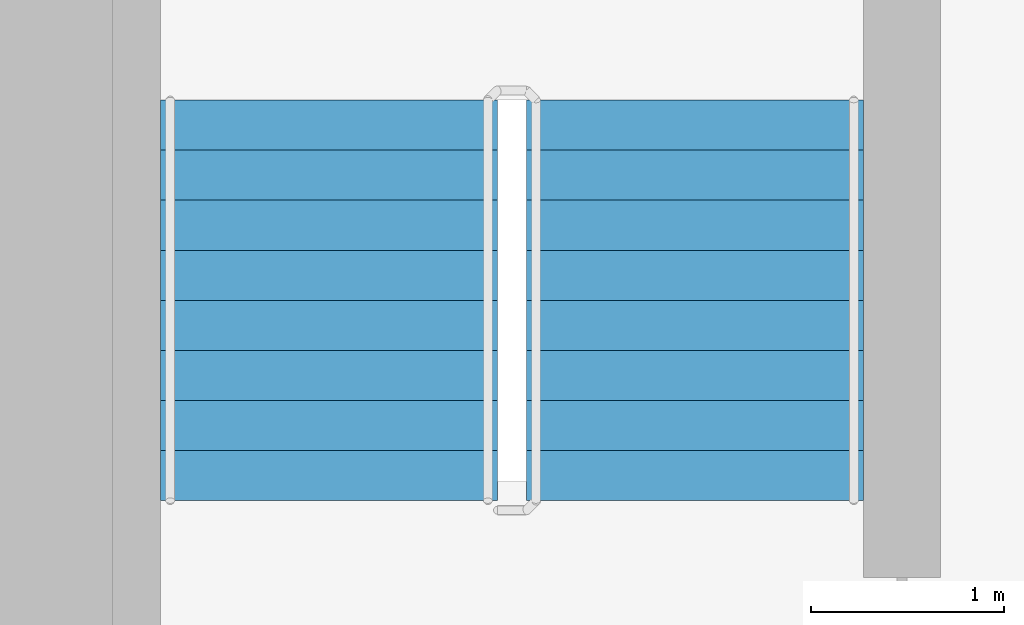
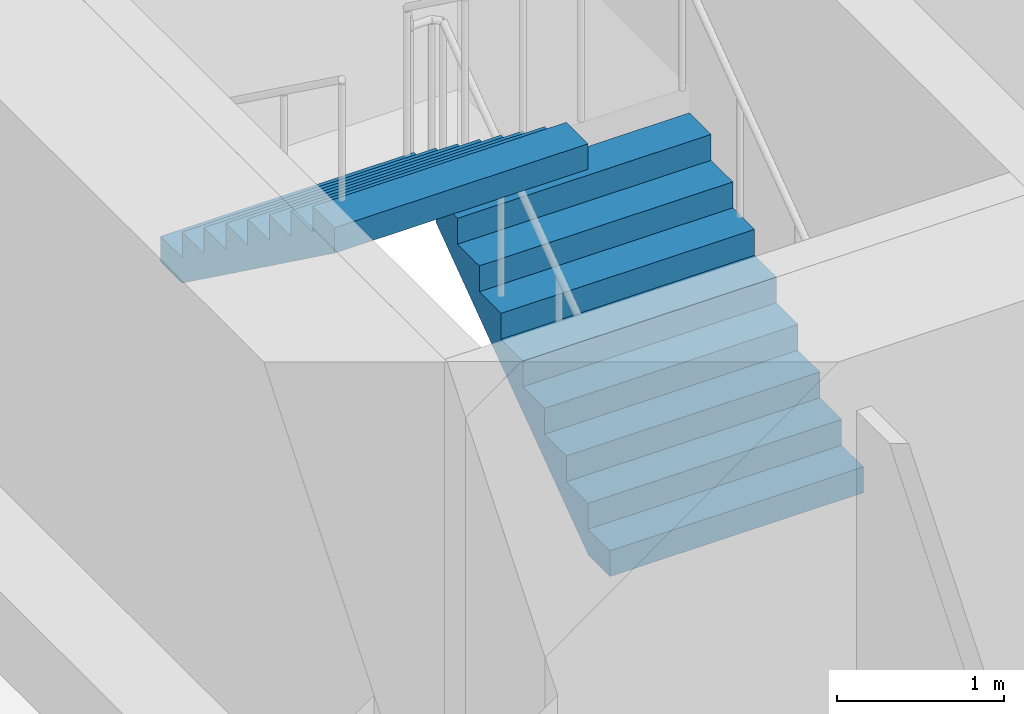
# One storey, part 17 of 21: 2 stair flights, 1 element without a shape of its own.
"""IFC4 building model written with IfcOpenShell, lengths in metres."""

from ifc_helpers import new_model, si_unit, direction, frame, origin, place, context, subcontext, project, spatial, faceted_brep, material, type_object, element, aggregate, save


model = new_model("IFC4")

# Units and contexts
model_context = context("Model", 3, precision=1e-05, world=origin(), true_north=direction((0.0, 1.0)))
body_context = subcontext(model_context, "Body", "Model", "MODEL_VIEW")
ifc_project = project(units=[si_unit("LENGTHUNIT", "METRE"), si_unit("AREAUNIT", "SQUARE_METRE"), si_unit("VOLUMEUNIT", "CUBIC_METRE"), si_unit("PLANEANGLEUNIT", "RADIAN"), si_unit("MASSUNIT", "GRAM", prefix="KILO")], contexts=[model_context])

# Site, building, storey
site_placement = place(None, origin())
site = spatial("IfcSite", under=ifc_project, at=site_placement, CompositionType="ELEMENT")
building_placement = place(site_placement, origin())
building = spatial("IfcBuilding", under=site, at=building_placement, Name="Ipe Terrace Towers", CompositionType="ELEMENT")
storey_placement = place(building_placement, frame((0.0, 0.0, 103.800048828125)))
storey = spatial("IfcBuildingStorey", under=building, at=storey_placement, Name="L28", CompositionType="ELEMENT", Elevation=103.800048828125)

# Stair, stair flights
ifc_material_1 = material(Name="Concrete C30/37", Category="concrete")
stair_type = type_object("IfcStairType", Name="Protected exit stair", PredefinedType="HALF_TURN_STAIR", material=ifc_material_1)
stair_placement = place(storey_placement, origin())
stair = element("IfcStair", 1, at=stair_placement, inside=storey, type_object=stair_type, Name="L28 Exit stair T2-C1", PredefinedType="HALF_TURN_STAIR")
ifc_material_2 = material(Name="Concrete C30/37", Category="concrete")
stair_flight_type = type_object("IfcStairFlightType", Name="Exit stair flight 1750", PredefinedType="STRAIGHT", material=ifc_material_2)
stair_flight_1_placement = place(storey_placement, frame((33.22509765625, 9.699951171875, 0.0), z_axis=(0.0, 0.0, 1.0), x_axis=(0.0, 1.0, 0.0)))
stair_flight_1 = element("IfcStairFlight", 2, at=stair_flight_1_placement, type_object=stair_flight_type, Name="T2-ST1 flight 1", NumberOfRisers=9, NumberOfTreads=8, PredefinedType="STRAIGHT", RiserHeight=0.188888889, TreadLength=0.26, context=body_context, shape_type="Brep", body=[
    faceted_brep([(0.255126953125, -0.875, 0.0), (2.080078125, -0.875, 1.325927734375), (2.080078125, -0.875, 1.51123046875), (1.820068359375, -0.875, 1.51123046875), (1.820068359375, -0.875, 1.322265625), (1.56005859375, -0.875, 1.322265625), (1.56005859375, -0.875, 1.13330078125), (1.300048828125, -0.875, 1.13330078125), (1.300048828125, -0.875, 0.9443359375), (1.0400390625, -0.875, 0.9443359375), (1.0400390625, -0.875, 0.755615234375), (0.780029296875, -0.875, 0.755615234375), (0.780029296875, -0.875, 0.566650390625), (0.52001953125, -0.875, 0.566650390625), (0.52001953125, -0.875, 0.377685546875), (0.260009765625, -0.875, 0.377685546875), (0.260009765625, -0.875, 0.18896484375), (0.0, -0.875, 0.18896484375), (0.0, -0.875, 0.0), (0.0, 0.875, 0.0), (0.0, 0.875, 0.18896484375), (0.260009765625, 0.875, 0.18896484375), (0.260009765625, 0.875, 0.377685546875), (0.52001953125, 0.875, 0.377685546875), (0.52001953125, 0.875, 0.566650390625), (0.780029296875, 0.875, 0.566650390625), (0.780029296875, 0.875, 0.755615234375), (1.0400390625, 0.875, 0.755615234375), (1.0400390625, 0.875, 0.9443359375), (1.300048828125, 0.875, 0.9443359375), (1.300048828125, 0.875, 1.13330078125), (1.56005859375, 0.875, 1.13330078125), (1.56005859375, 0.875, 1.322265625), (1.820068359375, 0.875, 1.322265625), (1.820068359375, 0.875, 1.51123046875), (2.080078125, 0.875, 1.51123046875), (2.080078125, 0.875, 1.325927734375), (0.255126953125, 0.875, 0.0), (0.0, -0.300048828125, 0.18896484375), (0.0, -0.1201171875, 0.18896484375), (0.0, -0.06005859375, 0.18896484375), (0.0, -0.030029296875, 0.18896484375), (0.0, -0.010009765625, 0.18896484375), (0.0, 0.0, 0.18896484375), (0.0, 0.010009765625, 0.18896484375), (0.0, 0.030029296875, 0.18896484375), (0.0, 0.06005859375, 0.18896484375), (0.0, 0.1201171875, 0.18896484375), (0.0, 0.300048828125, 0.18896484375), (0.0, 0.300048828125, 0.0), (0.0, 0.1201171875, 0.0), (0.0, 0.06005859375, 0.0), (0.0, 0.030029296875, 0.0), (0.0, 0.010009765625, 0.0), (0.0, 0.0, 0.0), (0.0, -0.010009765625, 0.0), (0.0, -0.030029296875, 0.0), (0.0, -0.06005859375, 0.0), (0.0, -0.1201171875, 0.0), (0.0, -0.300048828125, 0.0), (0.260009765625, -0.300048828125, 0.18896484375), (0.260009765625, -0.1201171875, 0.18896484375), (0.260009765625, -0.06005859375, 0.18896484375), (0.260009765625, -0.030029296875, 0.18896484375), (0.260009765625, -0.010009765625, 0.18896484375), (0.260009765625, 0.0, 0.18896484375), (0.260009765625, 0.010009765625, 0.18896484375), (0.260009765625, 0.030029296875, 0.18896484375), (0.260009765625, 0.06005859375, 0.18896484375), (0.260009765625, 0.1201171875, 0.18896484375), (0.260009765625, 0.300048828125, 0.18896484375), (0.260009765625, -0.300048828125, 0.377685546875), (0.260009765625, -0.1201171875, 0.377685546875), (0.260009765625, -0.06005859375, 0.377685546875), (0.260009765625, -0.030029296875, 0.377685546875), (0.260009765625, -0.010009765625, 0.377685546875), (0.260009765625, 0.0, 0.377685546875), (0.260009765625, 0.010009765625, 0.377685546875), (0.260009765625, 0.030029296875, 0.377685546875), (0.260009765625, 0.06005859375, 0.377685546875), (0.260009765625, 0.1201171875, 0.377685546875), (0.260009765625, 0.300048828125, 0.377685546875), (0.52001953125, -0.300048828125, 0.377685546875), (0.52001953125, -0.1201171875, 0.377685546875), (0.52001953125, -0.06005859375, 0.377685546875), (0.52001953125, -0.030029296875, 0.377685546875), (0.52001953125, -0.010009765625, 0.377685546875), (0.52001953125, 0.0, 0.377685546875), (0.52001953125, 0.010009765625, 0.377685546875), (0.52001953125, 0.030029296875, 0.377685546875), (0.52001953125, 0.06005859375, 0.377685546875), (0.52001953125, 0.1201171875, 0.377685546875), (0.52001953125, 0.300048828125, 0.377685546875), (0.52001953125, -0.300048828125, 0.566650390625), (0.52001953125, -0.1201171875, 0.566650390625), (0.52001953125, -0.06005859375, 0.566650390625), (0.52001953125, -0.030029296875, 0.566650390625), (0.52001953125, -0.010009765625, 0.566650390625), (0.52001953125, 0.0, 0.566650390625), (0.52001953125, 0.010009765625, 0.566650390625), (0.52001953125, 0.030029296875, 0.566650390625), (0.52001953125, 0.06005859375, 0.566650390625), (0.52001953125, 0.1201171875, 0.566650390625), (0.52001953125, 0.300048828125, 0.566650390625), (0.780029296875, -0.300048828125, 0.566650390625), (0.780029296875, -0.1201171875, 0.566650390625), (0.780029296875, -0.06005859375, 0.566650390625), (0.780029296875, -0.030029296875, 0.566650390625), (0.780029296875, -0.010009765625, 0.566650390625), (0.780029296875, 0.0, 0.566650390625), (0.780029296875, 0.010009765625, 0.566650390625), (0.780029296875, 0.030029296875, 0.566650390625), (0.780029296875, 0.06005859375, 0.566650390625), (0.780029296875, 0.1201171875, 0.566650390625), (0.780029296875, 0.300048828125, 0.566650390625), (0.780029296875, -0.300048828125, 0.755615234375), (0.780029296875, -0.1201171875, 0.755615234375), (0.780029296875, -0.06005859375, 0.755615234375), (0.780029296875, -0.030029296875, 0.755615234375), (0.780029296875, -0.010009765625, 0.755615234375), (0.780029296875, 0.0, 0.755615234375), (0.780029296875, 0.010009765625, 0.755615234375), (0.780029296875, 0.030029296875, 0.755615234375), (0.780029296875, 0.06005859375, 0.755615234375), (0.780029296875, 0.1201171875, 0.755615234375), (0.780029296875, 0.300048828125, 0.755615234375), (1.0400390625, -0.300048828125, 0.755615234375), (1.0400390625, -0.1201171875, 0.755615234375), (1.0400390625, -0.06005859375, 0.755615234375), (1.0400390625, -0.030029296875, 0.755615234375), (1.0400390625, -0.010009765625, 0.755615234375), (1.0400390625, 0.0, 0.755615234375), (1.0400390625, 0.010009765625, 0.755615234375), (1.0400390625, 0.030029296875, 0.755615234375), (1.0400390625, 0.06005859375, 0.755615234375), (1.0400390625, 0.1201171875, 0.755615234375), (1.0400390625, 0.300048828125, 0.755615234375), (1.0400390625, -0.300048828125, 0.9443359375), (1.0400390625, -0.1201171875, 0.9443359375), (1.0400390625, -0.06005859375, 0.9443359375), (1.0400390625, -0.030029296875, 0.9443359375), (1.0400390625, -0.010009765625, 0.9443359375), (1.0400390625, 0.0, 0.9443359375), (1.0400390625, 0.010009765625, 0.9443359375), (1.0400390625, 0.030029296875, 0.9443359375), (1.0400390625, 0.06005859375, 0.9443359375), (1.0400390625, 0.1201171875, 0.9443359375), (1.0400390625, 0.300048828125, 0.9443359375), (1.300048828125, -0.300048828125, 0.9443359375), (1.300048828125, -0.1201171875, 0.9443359375), (1.300048828125, -0.06005859375, 0.9443359375), (1.300048828125, -0.030029296875, 0.9443359375), (1.300048828125, -0.010009765625, 0.9443359375), (1.300048828125, 0.0, 0.9443359375), (1.300048828125, 0.010009765625, 0.9443359375), (1.300048828125, 0.030029296875, 0.9443359375), (1.300048828125, 0.06005859375, 0.9443359375), (1.300048828125, 0.1201171875, 0.9443359375), (1.300048828125, 0.300048828125, 0.9443359375), (1.300048828125, -0.300048828125, 1.13330078125), (1.300048828125, -0.1201171875, 1.13330078125), (1.300048828125, -0.06005859375, 1.13330078125), (1.300048828125, -0.030029296875, 1.13330078125), (1.300048828125, -0.010009765625, 1.13330078125), (1.300048828125, 0.0, 1.13330078125), (1.300048828125, 0.010009765625, 1.13330078125), (1.300048828125, 0.030029296875, 1.13330078125), (1.300048828125, 0.06005859375, 1.13330078125), (1.300048828125, 0.1201171875, 1.13330078125), (1.300048828125, 0.300048828125, 1.13330078125), (1.56005859375, -0.300048828125, 1.13330078125), (1.56005859375, -0.1201171875, 1.13330078125), (1.56005859375, -0.06005859375, 1.13330078125), (1.56005859375, -0.030029296875, 1.13330078125), (1.56005859375, -0.010009765625, 1.13330078125), (1.56005859375, 0.0, 1.13330078125), (1.56005859375, 0.010009765625, 1.13330078125), (1.56005859375, 0.030029296875, 1.13330078125), (1.56005859375, 0.06005859375, 1.13330078125), (1.56005859375, 0.1201171875, 1.13330078125), (1.56005859375, 0.300048828125, 1.13330078125), (1.56005859375, -0.300048828125, 1.322265625), (1.56005859375, -0.1201171875, 1.322265625), (1.56005859375, -0.06005859375, 1.322265625), (1.56005859375, -0.030029296875, 1.322265625), (1.56005859375, -0.010009765625, 1.322265625), (1.56005859375, 0.0, 1.322265625), (1.56005859375, 0.010009765625, 1.322265625), (1.56005859375, 0.030029296875, 1.322265625), (1.56005859375, 0.06005859375, 1.322265625), (1.56005859375, 0.1201171875, 1.322265625), (1.56005859375, 0.300048828125, 1.322265625), (1.820068359375, -0.300048828125, 1.322265625), (1.820068359375, -0.1201171875, 1.322265625), (1.820068359375, -0.06005859375, 1.322265625), (1.820068359375, -0.030029296875, 1.322265625), (1.820068359375, -0.010009765625, 1.322265625), (1.820068359375, 0.0, 1.322265625), (1.820068359375, 0.010009765625, 1.322265625), (1.820068359375, 0.030029296875, 1.322265625), (1.820068359375, 0.06005859375, 1.322265625), (1.820068359375, 0.1201171875, 1.322265625), (1.820068359375, 0.300048828125, 1.322265625), (1.820068359375, -0.300048828125, 1.51123046875), (1.820068359375, -0.1201171875, 1.51123046875), (1.820068359375, -0.06005859375, 1.51123046875), (1.820068359375, -0.030029296875, 1.51123046875), (1.820068359375, -0.010009765625, 1.51123046875), (1.820068359375, 0.0, 1.51123046875), (1.820068359375, 0.010009765625, 1.51123046875), (1.820068359375, 0.030029296875, 1.51123046875), (1.820068359375, 0.06005859375, 1.51123046875), (1.820068359375, 0.1201171875, 1.51123046875), (1.820068359375, 0.300048828125, 1.51123046875), (2.080078125, -0.300048828125, 1.51123046875), (2.080078125, -0.1201171875, 1.51123046875), (2.080078125, -0.06005859375, 1.51123046875), (2.080078125, -0.030029296875, 1.51123046875), (2.080078125, -0.010009765625, 1.51123046875), (2.080078125, 0.0, 1.51123046875), (2.080078125, 0.010009765625, 1.51123046875), (2.080078125, 0.030029296875, 1.51123046875), (2.080078125, 0.06005859375, 1.51123046875), (2.080078125, 0.1201171875, 1.51123046875), (2.080078125, 0.300048828125, 1.51123046875), (2.080078125, -0.300048828125, 1.325927734375), (2.080078125, -0.1201171875, 1.325927734375), (2.080078125, -0.06005859375, 1.325927734375), (2.080078125, -0.030029296875, 1.325927734375), (2.080078125, -0.010009765625, 1.325927734375), (2.080078125, 0.0, 1.325927734375), (2.080078125, 0.010009765625, 1.325927734375), (2.080078125, 0.030029296875, 1.325927734375), (2.080078125, 0.06005859375, 1.325927734375), (2.080078125, 0.1201171875, 1.325927734375), (2.080078125, 0.300048828125, 1.325927734375), (0.255126953125, -0.300048828125, 0.0), (0.255126953125, -0.1201171875, 0.0), (0.255126953125, -0.06005859375, 0.0), (0.255126953125, -0.030029296875, 0.0), (0.255126953125, -0.010009765625, 0.0), (0.255126953125, 0.0, 0.0), (0.255126953125, 0.010009765625, 0.0), (0.255126953125, 0.030029296875, 0.0), (0.255126953125, 0.06005859375, 0.0), (0.255126953125, 0.1201171875, 0.0), (0.255126953125, 0.300048828125, 0.0)], [[[0, 1, 2, 3, 4, 5, 6, 7, 8, 9, 10, 11, 12, 13, 14, 15, 16, 17, 18]], [[19, 20, 21, 22, 23, 24, 25, 26, 27, 28, 29, 30, 31, 32, 33, 34, 35, 36, 37]], [[17, 38, 39, 40, 41, 42, 43, 44, 45, 46, 47, 48, 20, 19, 49, 50, 51, 52, 53, 54, 55, 56, 57, 58, 59, 18]], [[16, 60, 61, 62, 63, 64, 65, 66, 67, 68, 69, 70, 21, 20, 48, 47, 46, 45, 44, 43, 42, 41, 40, 39, 38, 17]], [[15, 71, 72, 73, 74, 75, 76, 77, 78, 79, 80, 81, 22, 21, 70, 69, 68, 67, 66, 65, 64, 63, 62, 61, 60, 16]], [[14, 82, 83, 84, 85, 86, 87, 88, 89, 90, 91, 92, 23, 22, 81, 80, 79, 78, 77, 76, 75, 74, 73, 72, 71, 15]], [[13, 93, 94, 95, 96, 97, 98, 99, 100, 101, 102, 103, 24, 23, 92, 91, 90, 89, 88, 87, 86, 85, 84, 83, 82, 14]], [[12, 104, 105, 106, 107, 108, 109, 110, 111, 112, 113, 114, 25, 24, 103, 102, 101, 100, 99, 98, 97, 96, 95, 94, 93, 13]], [[11, 115, 116, 117, 118, 119, 120, 121, 122, 123, 124, 125, 26, 25, 114, 113, 112, 111, 110, 109, 108, 107, 106, 105, 104, 12]], [[10, 126, 127, 128, 129, 130, 131, 132, 133, 134, 135, 136, 27, 26, 125, 124, 123, 122, 121, 120, 119, 118, 117, 116, 115, 11]], [[9, 137, 138, 139, 140, 141, 142, 143, 144, 145, 146, 147, 28, 27, 136, 135, 134, 133, 132, 131, 130, 129, 128, 127, 126, 10]], [[8, 148, 149, 150, 151, 152, 153, 154, 155, 156, 157, 158, 29, 28, 147, 146, 145, 144, 143, 142, 141, 140, 139, 138, 137, 9]], [[7, 159, 160, 161, 162, 163, 164, 165, 166, 167, 168, 169, 30, 29, 158, 157, 156, 155, 154, 153, 152, 151, 150, 149, 148, 8]], [[6, 170, 171, 172, 173, 174, 175, 176, 177, 178, 179, 180, 31, 30, 169, 168, 167, 166, 165, 164, 163, 162, 161, 160, 159, 7]], [[5, 181, 182, 183, 184, 185, 186, 187, 188, 189, 190, 191, 32, 31, 180, 179, 178, 177, 176, 175, 174, 173, 172, 171, 170, 6]], [[4, 192, 193, 194, 195, 196, 197, 198, 199, 200, 201, 202, 33, 32, 191, 190, 189, 188, 187, 186, 185, 184, 183, 182, 181, 5]], [[3, 203, 204, 205, 206, 207, 208, 209, 210, 211, 212, 213, 34, 33, 202, 201, 200, 199, 198, 197, 196, 195, 194, 193, 192, 4]], [[2, 214, 215, 216, 217, 218, 219, 220, 221, 222, 223, 224, 35, 34, 213, 212, 211, 210, 209, 208, 207, 206, 205, 204, 203, 3]], [[1, 225, 226, 227, 228, 229, 230, 231, 232, 233, 234, 235, 36, 35, 224, 223, 222, 221, 220, 219, 218, 217, 216, 215, 214, 2]], [[0, 236, 237, 238, 239, 240, 241, 242, 243, 244, 245, 246, 37, 36, 235, 234, 233, 232, 231, 230, 229, 228, 227, 226, 225, 1]], [[18, 59, 58, 57, 56, 55, 54, 53, 52, 51, 50, 49, 19, 37, 246, 245, 244, 243, 242, 241, 240, 239, 238, 237, 236, 0]]]),
])
stair_flight_2_placement = place(storey_placement, frame((31.324951171875, 11.780029296875, 1.699951171875), z_axis=(0.0, 0.0, 1.0), x_axis=(0.0, -1.0, 0.0)))
stair_flight_2 = element("IfcStairFlight", 3, at=stair_flight_2_placement, type_object=stair_flight_type, Name="T2-ST1 flight 2", NumberOfRisers=9, NumberOfTreads=8, PredefinedType="STRAIGHT", RiserHeight=0.188888889, TreadLength=0.26, context=body_context, shape_type="Brep", body=[
    faceted_brep([(0.255126953125, -0.875, 0.0), (2.080078125, -0.875, 1.325927734375), (2.080078125, -0.875, 1.51123046875), (1.820068359375, -0.875, 1.51123046875), (1.820068359375, -0.875, 1.322265625), (1.56005859375, -0.875, 1.322265625), (1.56005859375, -0.875, 1.13330078125), (1.300048828125, -0.875, 1.13330078125), (1.300048828125, -0.875, 0.9443359375), (1.0400390625, -0.875, 0.9443359375), (1.0400390625, -0.875, 0.755615234375), (0.780029296875, -0.875, 0.755615234375), (0.780029296875, -0.875, 0.566650390625), (0.52001953125, -0.875, 0.566650390625), (0.52001953125, -0.875, 0.377685546875), (0.260009765625, -0.875, 0.377685546875), (0.260009765625, -0.875, 0.18896484375), (0.0, -0.875, 0.18896484375), (0.0, -0.875, 0.0), (0.0, 0.875, 0.0), (0.0, 0.875, 0.18896484375), (0.260009765625, 0.875, 0.18896484375), (0.260009765625, 0.875, 0.377685546875), (0.52001953125, 0.875, 0.377685546875), (0.52001953125, 0.875, 0.566650390625), (0.780029296875, 0.875, 0.566650390625), (0.780029296875, 0.875, 0.755615234375), (1.0400390625, 0.875, 0.755615234375), (1.0400390625, 0.875, 0.9443359375), (1.300048828125, 0.875, 0.9443359375), (1.300048828125, 0.875, 1.13330078125), (1.56005859375, 0.875, 1.13330078125), (1.56005859375, 0.875, 1.322265625), (1.820068359375, 0.875, 1.322265625), (1.820068359375, 0.875, 1.51123046875), (2.080078125, 0.875, 1.51123046875), (2.080078125, 0.875, 1.325927734375), (0.255126953125, 0.875, 0.0), (0.0, -0.300048828125, 0.18896484375), (0.0, -0.1201171875, 0.18896484375), (0.0, -0.06005859375, 0.18896484375), (0.0, -0.030029296875, 0.18896484375), (0.0, -0.010009765625, 0.18896484375), (0.0, 0.0, 0.18896484375), (0.0, 0.010009765625, 0.18896484375), (0.0, 0.030029296875, 0.18896484375), (0.0, 0.06005859375, 0.18896484375), (0.0, 0.1201171875, 0.18896484375), (0.0, 0.300048828125, 0.18896484375), (0.0, 0.300048828125, 0.0), (0.0, 0.1201171875, 0.0), (0.0, 0.06005859375, 0.0), (0.0, 0.030029296875, 0.0), (0.0, 0.010009765625, 0.0), (0.0, 0.0, 0.0), (0.0, -0.010009765625, 0.0), (0.0, -0.030029296875, 0.0), (0.0, -0.06005859375, 0.0), (0.0, -0.1201171875, 0.0), (0.0, -0.300048828125, 0.0), (0.260009765625, -0.300048828125, 0.18896484375), (0.260009765625, -0.1201171875, 0.18896484375), (0.260009765625, -0.06005859375, 0.18896484375), (0.260009765625, -0.030029296875, 0.18896484375), (0.260009765625, -0.010009765625, 0.18896484375), (0.260009765625, 0.0, 0.18896484375), (0.260009765625, 0.010009765625, 0.18896484375), (0.260009765625, 0.030029296875, 0.18896484375), (0.260009765625, 0.06005859375, 0.18896484375), (0.260009765625, 0.1201171875, 0.18896484375), (0.260009765625, 0.300048828125, 0.18896484375), (0.260009765625, -0.300048828125, 0.377685546875), (0.260009765625, -0.1201171875, 0.377685546875), (0.260009765625, -0.06005859375, 0.377685546875), (0.260009765625, -0.030029296875, 0.377685546875), (0.260009765625, -0.010009765625, 0.377685546875), (0.260009765625, 0.0, 0.377685546875), (0.260009765625, 0.010009765625, 0.377685546875), (0.260009765625, 0.030029296875, 0.377685546875), (0.260009765625, 0.06005859375, 0.377685546875), (0.260009765625, 0.1201171875, 0.377685546875), (0.260009765625, 0.300048828125, 0.377685546875), (0.52001953125, -0.300048828125, 0.377685546875), (0.52001953125, -0.1201171875, 0.377685546875), (0.52001953125, -0.06005859375, 0.377685546875), (0.52001953125, -0.030029296875, 0.377685546875), (0.52001953125, -0.010009765625, 0.377685546875), (0.52001953125, 0.0, 0.377685546875), (0.52001953125, 0.010009765625, 0.377685546875), (0.52001953125, 0.030029296875, 0.377685546875), (0.52001953125, 0.06005859375, 0.377685546875), (0.52001953125, 0.1201171875, 0.377685546875), (0.52001953125, 0.300048828125, 0.377685546875), (0.52001953125, -0.300048828125, 0.566650390625), (0.52001953125, -0.1201171875, 0.566650390625), (0.52001953125, -0.06005859375, 0.566650390625), (0.52001953125, -0.030029296875, 0.566650390625), (0.52001953125, -0.010009765625, 0.566650390625), (0.52001953125, 0.0, 0.566650390625), (0.52001953125, 0.010009765625, 0.566650390625), (0.52001953125, 0.030029296875, 0.566650390625), (0.52001953125, 0.06005859375, 0.566650390625), (0.52001953125, 0.1201171875, 0.566650390625), (0.52001953125, 0.300048828125, 0.566650390625), (0.780029296875, -0.300048828125, 0.566650390625), (0.780029296875, -0.1201171875, 0.566650390625), (0.780029296875, -0.06005859375, 0.566650390625), (0.780029296875, -0.030029296875, 0.566650390625), (0.780029296875, -0.010009765625, 0.566650390625), (0.780029296875, 0.0, 0.566650390625), (0.780029296875, 0.010009765625, 0.566650390625), (0.780029296875, 0.030029296875, 0.566650390625), (0.780029296875, 0.06005859375, 0.566650390625), (0.780029296875, 0.1201171875, 0.566650390625), (0.780029296875, 0.300048828125, 0.566650390625), (0.780029296875, -0.300048828125, 0.755615234375), (0.780029296875, -0.1201171875, 0.755615234375), (0.780029296875, -0.06005859375, 0.755615234375), (0.780029296875, -0.030029296875, 0.755615234375), (0.780029296875, -0.010009765625, 0.755615234375), (0.780029296875, 0.0, 0.755615234375), (0.780029296875, 0.010009765625, 0.755615234375), (0.780029296875, 0.030029296875, 0.755615234375), (0.780029296875, 0.06005859375, 0.755615234375), (0.780029296875, 0.1201171875, 0.755615234375), (0.780029296875, 0.300048828125, 0.755615234375), (1.0400390625, -0.300048828125, 0.755615234375), (1.0400390625, -0.1201171875, 0.755615234375), (1.0400390625, -0.06005859375, 0.755615234375), (1.0400390625, -0.030029296875, 0.755615234375), (1.0400390625, -0.010009765625, 0.755615234375), (1.0400390625, 0.0, 0.755615234375), (1.0400390625, 0.010009765625, 0.755615234375), (1.0400390625, 0.030029296875, 0.755615234375), (1.0400390625, 0.06005859375, 0.755615234375), (1.0400390625, 0.1201171875, 0.755615234375), (1.0400390625, 0.300048828125, 0.755615234375), (1.0400390625, -0.300048828125, 0.9443359375), (1.0400390625, -0.1201171875, 0.9443359375), (1.0400390625, -0.06005859375, 0.9443359375), (1.0400390625, -0.030029296875, 0.9443359375), (1.0400390625, -0.010009765625, 0.9443359375), (1.0400390625, 0.0, 0.9443359375), (1.0400390625, 0.010009765625, 0.9443359375), (1.0400390625, 0.030029296875, 0.9443359375), (1.0400390625, 0.06005859375, 0.9443359375), (1.0400390625, 0.1201171875, 0.9443359375), (1.0400390625, 0.300048828125, 0.9443359375), (1.300048828125, -0.300048828125, 0.9443359375), (1.300048828125, -0.1201171875, 0.9443359375), (1.300048828125, -0.06005859375, 0.9443359375), (1.300048828125, -0.030029296875, 0.9443359375), (1.300048828125, -0.010009765625, 0.9443359375), (1.300048828125, 0.0, 0.9443359375), (1.300048828125, 0.010009765625, 0.9443359375), (1.300048828125, 0.030029296875, 0.9443359375), (1.300048828125, 0.06005859375, 0.9443359375), (1.300048828125, 0.1201171875, 0.9443359375), (1.300048828125, 0.300048828125, 0.9443359375), (1.300048828125, -0.300048828125, 1.13330078125), (1.300048828125, -0.1201171875, 1.13330078125), (1.300048828125, -0.06005859375, 1.13330078125), (1.300048828125, -0.030029296875, 1.13330078125), (1.300048828125, -0.010009765625, 1.13330078125), (1.300048828125, 0.0, 1.13330078125), (1.300048828125, 0.010009765625, 1.13330078125), (1.300048828125, 0.030029296875, 1.13330078125), (1.300048828125, 0.06005859375, 1.13330078125), (1.300048828125, 0.1201171875, 1.13330078125), (1.300048828125, 0.300048828125, 1.13330078125), (1.56005859375, -0.300048828125, 1.13330078125), (1.56005859375, -0.1201171875, 1.13330078125), (1.56005859375, -0.06005859375, 1.13330078125), (1.56005859375, -0.030029296875, 1.13330078125), (1.56005859375, -0.010009765625, 1.13330078125), (1.56005859375, 0.0, 1.13330078125), (1.56005859375, 0.010009765625, 1.13330078125), (1.56005859375, 0.030029296875, 1.13330078125), (1.56005859375, 0.06005859375, 1.13330078125), (1.56005859375, 0.1201171875, 1.13330078125), (1.56005859375, 0.300048828125, 1.13330078125), (1.56005859375, -0.300048828125, 1.322265625), (1.56005859375, -0.1201171875, 1.322265625), (1.56005859375, -0.06005859375, 1.322265625), (1.56005859375, -0.030029296875, 1.322265625), (1.56005859375, -0.010009765625, 1.322265625), (1.56005859375, 0.0, 1.322265625), (1.56005859375, 0.010009765625, 1.322265625), (1.56005859375, 0.030029296875, 1.322265625), (1.56005859375, 0.06005859375, 1.322265625), (1.56005859375, 0.1201171875, 1.322265625), (1.56005859375, 0.300048828125, 1.322265625), (1.820068359375, -0.300048828125, 1.322265625), (1.820068359375, -0.1201171875, 1.322265625), (1.820068359375, -0.06005859375, 1.322265625), (1.820068359375, -0.030029296875, 1.322265625), (1.820068359375, -0.010009765625, 1.322265625), (1.820068359375, 0.0, 1.322265625), (1.820068359375, 0.010009765625, 1.322265625), (1.820068359375, 0.030029296875, 1.322265625), (1.820068359375, 0.06005859375, 1.322265625), (1.820068359375, 0.1201171875, 1.322265625), (1.820068359375, 0.300048828125, 1.322265625), (1.820068359375, -0.300048828125, 1.51123046875), (1.820068359375, -0.1201171875, 1.51123046875), (1.820068359375, -0.06005859375, 1.51123046875), (1.820068359375, -0.030029296875, 1.51123046875), (1.820068359375, -0.010009765625, 1.51123046875), (1.820068359375, 0.0, 1.51123046875), (1.820068359375, 0.010009765625, 1.51123046875), (1.820068359375, 0.030029296875, 1.51123046875), (1.820068359375, 0.06005859375, 1.51123046875), (1.820068359375, 0.1201171875, 1.51123046875), (1.820068359375, 0.300048828125, 1.51123046875), (2.080078125, -0.300048828125, 1.51123046875), (2.080078125, -0.1201171875, 1.51123046875), (2.080078125, -0.06005859375, 1.51123046875), (2.080078125, -0.030029296875, 1.51123046875), (2.080078125, -0.010009765625, 1.51123046875), (2.080078125, 0.0, 1.51123046875), (2.080078125, 0.010009765625, 1.51123046875), (2.080078125, 0.030029296875, 1.51123046875), (2.080078125, 0.06005859375, 1.51123046875), (2.080078125, 0.1201171875, 1.51123046875), (2.080078125, 0.300048828125, 1.51123046875), (2.080078125, -0.300048828125, 1.325927734375), (2.080078125, -0.1201171875, 1.325927734375), (2.080078125, -0.06005859375, 1.325927734375), (2.080078125, -0.030029296875, 1.325927734375), (2.080078125, -0.010009765625, 1.325927734375), (2.080078125, 0.0, 1.325927734375), (2.080078125, 0.010009765625, 1.325927734375), (2.080078125, 0.030029296875, 1.325927734375), (2.080078125, 0.06005859375, 1.325927734375), (2.080078125, 0.1201171875, 1.325927734375), (2.080078125, 0.300048828125, 1.325927734375), (0.255126953125, -0.300048828125, 0.0), (0.255126953125, -0.1201171875, 0.0), (0.255126953125, -0.06005859375, 0.0), (0.255126953125, -0.030029296875, 0.0), (0.255126953125, -0.010009765625, 0.0), (0.255126953125, 0.0, 0.0), (0.255126953125, 0.010009765625, 0.0), (0.255126953125, 0.030029296875, 0.0), (0.255126953125, 0.06005859375, 0.0), (0.255126953125, 0.1201171875, 0.0), (0.255126953125, 0.300048828125, 0.0)], [[[0, 1, 2, 3, 4, 5, 6, 7, 8, 9, 10, 11, 12, 13, 14, 15, 16, 17, 18]], [[19, 20, 21, 22, 23, 24, 25, 26, 27, 28, 29, 30, 31, 32, 33, 34, 35, 36, 37]], [[17, 38, 39, 40, 41, 42, 43, 44, 45, 46, 47, 48, 20, 19, 49, 50, 51, 52, 53, 54, 55, 56, 57, 58, 59, 18]], [[16, 60, 61, 62, 63, 64, 65, 66, 67, 68, 69, 70, 21, 20, 48, 47, 46, 45, 44, 43, 42, 41, 40, 39, 38, 17]], [[15, 71, 72, 73, 74, 75, 76, 77, 78, 79, 80, 81, 22, 21, 70, 69, 68, 67, 66, 65, 64, 63, 62, 61, 60, 16]], [[14, 82, 83, 84, 85, 86, 87, 88, 89, 90, 91, 92, 23, 22, 81, 80, 79, 78, 77, 76, 75, 74, 73, 72, 71, 15]], [[13, 93, 94, 95, 96, 97, 98, 99, 100, 101, 102, 103, 24, 23, 92, 91, 90, 89, 88, 87, 86, 85, 84, 83, 82, 14]], [[12, 104, 105, 106, 107, 108, 109, 110, 111, 112, 113, 114, 25, 24, 103, 102, 101, 100, 99, 98, 97, 96, 95, 94, 93, 13]], [[11, 115, 116, 117, 118, 119, 120, 121, 122, 123, 124, 125, 26, 25, 114, 113, 112, 111, 110, 109, 108, 107, 106, 105, 104, 12]], [[10, 126, 127, 128, 129, 130, 131, 132, 133, 134, 135, 136, 27, 26, 125, 124, 123, 122, 121, 120, 119, 118, 117, 116, 115, 11]], [[9, 137, 138, 139, 140, 141, 142, 143, 144, 145, 146, 147, 28, 27, 136, 135, 134, 133, 132, 131, 130, 129, 128, 127, 126, 10]], [[8, 148, 149, 150, 151, 152, 153, 154, 155, 156, 157, 158, 29, 28, 147, 146, 145, 144, 143, 142, 141, 140, 139, 138, 137, 9]], [[7, 159, 160, 161, 162, 163, 164, 165, 166, 167, 168, 169, 30, 29, 158, 157, 156, 155, 154, 153, 152, 151, 150, 149, 148, 8]], [[6, 170, 171, 172, 173, 174, 175, 176, 177, 178, 179, 180, 31, 30, 169, 168, 167, 166, 165, 164, 163, 162, 161, 160, 159, 7]], [[5, 181, 182, 183, 184, 185, 186, 187, 188, 189, 190, 191, 32, 31, 180, 179, 178, 177, 176, 175, 174, 173, 172, 171, 170, 6]], [[4, 192, 193, 194, 195, 196, 197, 198, 199, 200, 201, 202, 33, 32, 191, 190, 189, 188, 187, 186, 185, 184, 183, 182, 181, 5]], [[3, 203, 204, 205, 206, 207, 208, 209, 210, 211, 212, 213, 34, 33, 202, 201, 200, 199, 198, 197, 196, 195, 194, 193, 192, 4]], [[2, 214, 215, 216, 217, 218, 219, 220, 221, 222, 223, 224, 35, 34, 213, 212, 211, 210, 209, 208, 207, 206, 205, 204, 203, 3]], [[1, 225, 226, 227, 228, 229, 230, 231, 232, 233, 234, 235, 36, 35, 224, 223, 222, 221, 220, 219, 218, 217, 216, 215, 214, 2]], [[0, 236, 237, 238, 239, 240, 241, 242, 243, 244, 245, 246, 37, 36, 235, 234, 233, 232, 231, 230, 229, 228, 227, 226, 225, 1]], [[18, 59, 58, 57, 56, 55, 54, 53, 52, 51, 50, 49, 19, 37, 246, 245, 244, 243, 242, 241, 240, 239, 238, 237, 236, 0]]]),
])
aggregate(stair, [stair_flight_1, stair_flight_2])

save(model, "model.ifc")
